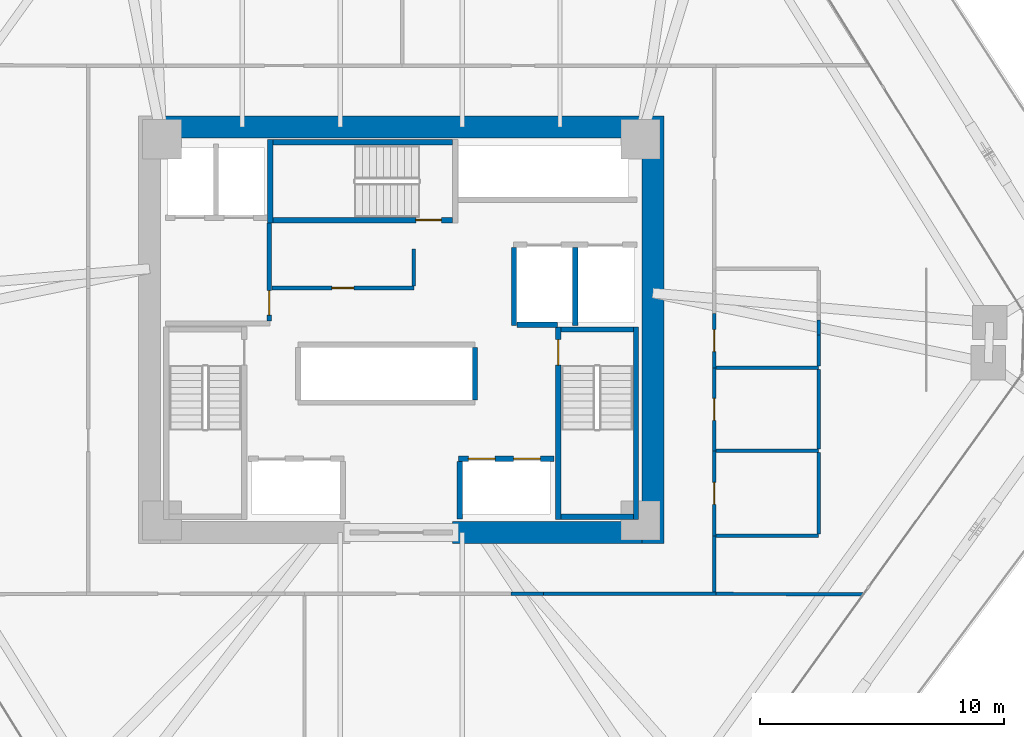
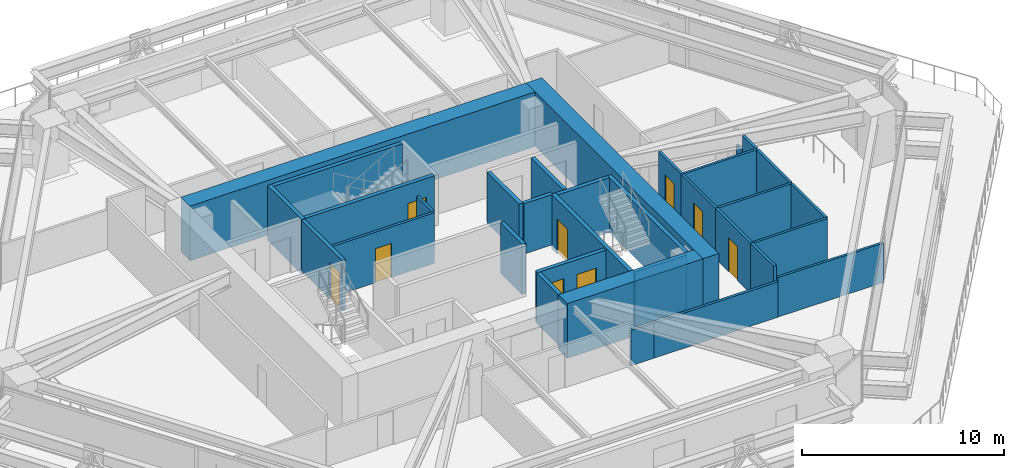
# One storey, part 14 of 20: 33 walls, 9 doors, 9 openings.
"""IFC4 building model written with IfcOpenShell, lengths in metres."""

import ifcopenshell
import ifcopenshell.guid

model = None  # the IFC model being written
_history = None  # IfcOwnerHistory: only IFC2X3 demands one
_inside = {}  # id of a spatial element -> (the spatial element, [elements in it])
_under = {}  # id of a project, library or spatial element -> (it, [spatial elements below it])
_declared = {}  # id of a project -> (the project, [libraries it declares])
_typed = {}  # id of a type object -> (the type object, [elements of that type])
_made_of = {}  # id of a material, layer set ... -> (it, [elements and type objects made of it])


def new_model(schema):
    """Start an empty IFC model of exactly this schema.

    Asked for "IFC4X3", IfcOpenShell would pick the latest addendum, in which some entities
    have other attributes; the version numbers below select the first issue.
    IFC2X3 requires an IfcOwnerHistory on every rooted entity: one is made here for all.
    """
    global model, _history
    if schema == "IFC4X3":
        model = ifcopenshell.file(schema_version=(4, 3, 0, 0))
    else:
        model = ifcopenshell.file(schema=schema)
    _inside.clear()
    _under.clear()
    _declared.clear()
    _typed.clear()
    _made_of.clear()
    _history = None
    if model.schema == "IFC2X3":
        org = make("IfcOrganization", Name="unknown")
        user = make(
            "IfcPersonAndOrganization",
            ThePerson=make("IfcPerson", FamilyName="unknown"),
            TheOrganization=org,
        )
        app = make(
            "IfcApplication",
            ApplicationDeveloper=org,
            Version="unknown",
            ApplicationFullName="unknown",
            ApplicationIdentifier="unknown",
        )
        _history = make(
            "IfcOwnerHistory",
            OwningUser=user,
            OwningApplication=app,
            ChangeAction="ADDED",
            CreationDate=0,
        )
    return model


def make(cls, **values):
    """One entity of the class cls with the attributes given. An attribute that is None is left unset."""
    return model.create_entity(
        cls, **{name: value for name, value in values.items() if value is not None}
    )


def rooted(cls, **values):
    """An entity with a GlobalId (a new one), such as an element, a storey or a relation."""
    return make(cls, GlobalId=ifcopenshell.guid.new(), OwnerHistory=_history, **values)


def si_unit(unit_type, name, prefix=None):
    """IfcSIUnit, for example si_unit("LENGTHUNIT", "METRE", prefix="MILLI")."""
    return make("IfcSIUnit", UnitType=unit_type, Prefix=prefix, Name=name)


def assignment(units):
    """IfcUnitAssignment: the units of a project."""
    return None if units is None else make("IfcUnitAssignment", Units=units)


def point(xyz):
    """IfcCartesianPoint."""
    return None if xyz is None else make("IfcCartesianPoint", Coordinates=xyz)


def direction(xyz):
    """IfcDirection."""
    return None if xyz is None else make("IfcDirection", DirectionRatios=xyz)


def frame(location, z_axis=None, x_axis=None):
    """IfcAxis2Placement3D, a coordinate frame: its origin and axes. An axis left out is left unset."""
    return make(
        "IfcAxis2Placement3D",
        Location=point(location),
        Axis=direction(z_axis),
        RefDirection=direction(x_axis),
    )


def frame_2d(location, x_axis=None):
    """IfcAxis2Placement2D, a coordinate frame in the plane: its origin and x axis."""
    return make(
        "IfcAxis2Placement2D", Location=point(location), RefDirection=direction(x_axis)
    )


def origin():
    """The frame at (0, 0, 0) with its axes left unset."""
    return frame((0.0, 0.0, 0.0))


def place(relative_to, where):
    """IfcLocalPlacement: puts the frame where relative to a parent placement (None: the world)."""
    return make(
        "IfcLocalPlacement", PlacementRelTo=relative_to, RelativePlacement=where
    )


def context(
    kind, dimensions, precision=None, world=None, true_north=None, identifier=None
):
    """IfcGeometricRepresentationContext, for example the 3D "Model" context."""
    return make(
        "IfcGeometricRepresentationContext",
        ContextIdentifier=identifier,
        ContextType=kind,
        CoordinateSpaceDimension=dimensions,
        Precision=precision,
        WorldCoordinateSystem=world,
        TrueNorth=true_north,
    )


def subcontext(parent, identifier, kind, view, scale=None):
    """IfcGeometricRepresentationSubContext, for example "Body" below "Model"."""
    return make(
        "IfcGeometricRepresentationSubContext",
        ContextIdentifier=identifier,
        ContextType=kind,
        ParentContext=parent,
        TargetScale=scale,
        TargetView=view,
    )


def project(units=None, contexts=None):
    """IfcProject with its units and contexts."""
    return rooted(
        "IfcProject",
        Name="project",
        RepresentationContexts=contexts,
        UnitsInContext=assignment(units),
    )


def spatial(cls, under=None, at=None, **own):
    """A site, building, storey or space (cls), placed at a placement, below another one or the project."""
    s = rooted(cls, ObjectPlacement=at, **own)
    if under is not None:
        _under.setdefault(under.id(), (under, []))[1].append(s)
    return s


def profile(cls, at=None, kind="AREA", **sizes):
    """A parametric profile (cls). Its sizes go by their IFC names, for example OverallWidth=200.0."""
    return make(cls, ProfileType=kind, Position=at, **sizes)


def rectangle(**sizes):
    """IfcRectangleProfileDef."""
    return profile("IfcRectangleProfileDef", **sizes)


def extrude(swept, where, along, depth):
    """IfcExtrudedAreaSolid: the profile swept, set in the frame where, extruded along a direction by depth."""
    return make(
        "IfcExtrudedAreaSolid",
        SweptArea=swept,
        Position=where,
        ExtrudedDirection=direction(along),
        Depth=depth,
    )


def shape(context_of_items, identifier, shape_type, items):
    """IfcShapeRepresentation: the items that make up one representation, for example the "Body"."""
    return make(
        "IfcShapeRepresentation",
        ContextOfItems=context_of_items,
        RepresentationIdentifier=identifier,
        RepresentationType=shape_type,
        Items=items,
    )


def source(mapping_origin, context_of_items, identifier, shape_type, items):
    """IfcRepresentationMap: a shape defined once, which mapped items show again and again."""
    return make(
        "IfcRepresentationMap",
        MappingOrigin=mapping_origin,
        MappedRepresentation=shape(context_of_items, identifier, shape_type, items),
    )


def transform(
    local_origin,
    x_axis=None,
    y_axis=None,
    z_axis=None,
    scale=None,
    scale2=None,
    scale3=None,
    uniform=True,
):
    """IfcCartesianTransformationOperator3D, or its non-uniform kind. x_axis, y_axis, z_axis: its Axis1, 2, 3."""
    if uniform:
        return make(
            "IfcCartesianTransformationOperator3D",
            Axis1=direction(x_axis),
            Axis2=direction(y_axis),
            LocalOrigin=point(local_origin),
            Scale=scale,
            Axis3=direction(z_axis),
        )
    return make(
        "IfcCartesianTransformationOperator3DnonUniform",
        Axis1=direction(x_axis),
        Axis2=direction(y_axis),
        LocalOrigin=point(local_origin),
        Scale=scale,
        Axis3=direction(z_axis),
        Scale2=scale2,
        Scale3=scale3,
    )


def mapped(mapping_source, mapping_target):
    """IfcMappedItem: shows the shape of a source again, moved by a transform."""
    return make(
        "IfcMappedItem", MappingSource=mapping_source, MappingTarget=mapping_target
    )


def material(Name=None, Category=None):
    """IfcMaterial."""
    return make("IfcMaterial", Name=Name, Category=Category)


def layer(
    of_material, thickness, ventilated=None, Name=None, Category=None, Priority=None
):
    """IfcMaterialLayer: one layer of a wall or slab, of a material (None: an air gap)."""
    return make(
        "IfcMaterialLayer",
        Material=of_material,
        LayerThickness=thickness,
        IsVentilated=ventilated,
        Name=Name,
        Category=Category,
        Priority=Priority,
    )


def layer_set(layers, Name=None):
    """IfcMaterialLayerSet."""
    return make("IfcMaterialLayerSet", MaterialLayers=layers, LayerSetName=Name)


def made_of(thing, what):
    """Note that an element or type object is made of a material, layer set ...; save() writes the relation."""
    if what is not None:
        _made_of.setdefault(what.id(), (what, []))[1].append(thing)
    return thing


def type_object(cls, material=None, **own):
    """A type object (cls), such as IfcWallType, which elements share."""
    return made_of(rooted(cls, **own), material)


def type_shapes(of_type, sources):
    """Give a type object the sources (RepresentationMaps) that its elements show as mapped items."""
    of_type.RepresentationMaps = sources


def element(
    cls,
    number,
    at=None,
    inside=None,
    cuts=None,
    type_object=None,
    material=None,
    context=None,
    identifier="Body",
    shape_type=None,
    held_by="IfcProductDefinitionShape",
    body=None,
    shapes=None,
    **own,
):
    """One element of the class cls, such as IfcWall. Its Tag is "e" and its number.

    at: its placement. inside: the storey or other place that contains it. cuts: it is an
    opening in that element (IfcRelVoidsElement). A single representation is given by context,
    identifier, shape_type and body (its items); several are given by shapes. held_by: the class
    of the entity that holds the representations. save() writes the other relations.
    """
    e = rooted(cls, Tag="e%d" % number, ObjectPlacement=at, **own)
    if body is not None:
        shapes = [shape(context, identifier, shape_type, body)]
    if shapes is not None:
        e.Representation = make(held_by, Representations=shapes)
    if inside is not None:
        _inside.setdefault(inside.id(), (inside, []))[1].append(e)
    if cuts is not None:
        rooted(
            "IfcRelVoidsElement", RelatingBuildingElement=cuts, RelatedOpeningElement=e
        )
    if type_object is not None:
        _typed.setdefault(type_object.id(), (type_object, []))[1].append(e)
    return made_of(e, material)


def fill(opening, filler):
    """IfcRelFillsElement: the door or window that sits in an opening."""
    return rooted(
        "IfcRelFillsElement",
        RelatingOpeningElement=opening,
        RelatedBuildingElement=filler,
    )


def aggregate(whole, parts):
    """IfcRelAggregates: a whole, such as a stair, and the parts it consists of."""
    return rooted("IfcRelAggregates", RelatingObject=whole, RelatedObjects=parts)


def save(model, path):
    """Write the relations noted so far, then the file.

    IfcRelAggregates (storeys below a building ...), IfcRelContainedInSpatialStructure (elements
    in a storey), IfcRelDefinesByType, IfcRelAssociatesMaterial and IfcRelDeclares: one each for
    every whole, place, type object, material and project.
    """
    for whole, parts in _under.values():
        aggregate(whole, parts)
    for where, things in _inside.values():
        rooted(
            "IfcRelContainedInSpatialStructure",
            RelatedElements=things,
            RelatingStructure=where,
        )
    for kind, things in _typed.values():
        rooted("IfcRelDefinesByType", RelatedObjects=things, RelatingType=kind)
    for what, things in _made_of.values():
        rooted("IfcRelAssociatesMaterial", RelatedObjects=things, RelatingMaterial=what)
    for by, libraries in _declared.values():
        rooted("IfcRelDeclares", RelatingContext=by, RelatedDefinitions=libraries)
    model.write(path)


model = new_model("IFC4")

# Units and contexts
model_context = context("Model", 3, precision=1e-05, world=origin(), true_north=direction((0.0, 1.0)))
body_context = subcontext(model_context, "Body", "Model", "MODEL_VIEW")
ifc_project = project(units=[si_unit("LENGTHUNIT", "METRE"), si_unit("AREAUNIT", "SQUARE_METRE"), si_unit("VOLUMEUNIT", "CUBIC_METRE"), si_unit("PLANEANGLEUNIT", "RADIAN"), si_unit("MASSUNIT", "GRAM", prefix="KILO")], contexts=[model_context])

# Site, building, storey
site_placement = place(None, origin())
site = spatial("IfcSite", under=ifc_project, at=site_placement, CompositionType="ELEMENT")
building_placement = place(site_placement, origin())
building = spatial("IfcBuilding", under=site, at=building_placement, Name="Durnholm Broadcast Tower", CompositionType="ELEMENT")
storey_placement = place(building_placement, frame((0.0, 0.0, 32.39990234375)))
storey = spatial("IfcBuildingStorey", under=building, at=storey_placement, Name="L06", CompositionType="ELEMENT", Elevation=32.39990234375)

# Walls
ifc_material_1 = material(Name="Concrete C70/85", Category="concrete")
ifc_layer_1 = layer(ifc_material_1, 0.89990234375)
ifc_layer_set_1 = layer_set([ifc_layer_1], Name="Concrete C70/85")
wall_type_1 = type_object("IfcWallType", Name="WALL-CW-900", PredefinedType="SHEAR", material=ifc_layer_set_1)
wall_1_placement = place(storey_placement, frame((10.300048828125, -8.75, 0.0), z_axis=(0.0, 0.0, 1.0), x_axis=(0.0, 1.0, 0.0)))
element("IfcWall", 1, at=wall_1_placement, inside=storey, type_object=wall_type_1, Name="L06 central core shear wall CW-EAST", PredefinedType="SHEAR", context=body_context, shape_type="SweptSolid", body=[
    extrude(rectangle(XDim=17.5, YDim=0.89990234375, at=frame_2d((8.75, 0.0))), origin(), (0.0, 0.0, 1.0), 3.300048828125),
])
wall_2_placement = place(storey_placement, frame((2.10009765625, -8.300048828125, 0.0), z_axis=(0.0, 0.0, 1.0), x_axis=(1.0, 0.0, 0.0)))
element("IfcWall", 2, at=wall_2_placement, inside=storey, type_object=wall_type_1, Name="L06 central core shear wall CW-S2", PredefinedType="SHEAR", context=body_context, shape_type="SweptSolid", body=[
    extrude(rectangle(XDim=7.75, YDim=0.89990234375, at=frame_2d((3.875, 0.0))), origin(), (0.0, 0.0, 1.0), 3.300048828125),
])
wall_3_placement = place(storey_placement, frame((-9.85009765625, 8.300048828125, 0.0), z_axis=(0.0, 0.0, 1.0), x_axis=(1.0, 0.0, 0.0)))
element("IfcWall", 3, at=wall_3_placement, inside=storey, type_object=wall_type_1, Name="L06 central core shear wall CW-N", PredefinedType="SHEAR", context=body_context, shape_type="SweptSolid", body=[
    extrude(rectangle(XDim=19.7001953125, YDim=0.89990234375, at=frame_2d((9.85009765625, 0.0))), origin(), (0.0, 0.0, 1.0), 3.300048828125),
])

# Wall, opening, door
ifc_material_2 = material(Name="Fire-Rated Gypsum Shaftwall", Category="concrete")
ifc_layer_2 = layer(ifc_material_2, 0.199951171875)
ifc_layer_set_2 = layer_set([ifc_layer_2], Name="Fire-Rated Gypsum Shaftwall")
wall_type_2 = type_object("IfcWallType", Name="WALL-LOB-200", PredefinedType="SOLIDWALL", material=ifc_layer_set_2)
wall_4_placement = place(storey_placement, frame((-5.39990234375, 0.35400390625, 0.0), z_axis=(0.0, 0.0, 1.0), x_axis=(0.0, 1.0, 0.0)))
wall_4 = element("IfcWall", 4, at=wall_4_placement, inside=storey, type_object=wall_type_2, Name="L06 Fire Service Access Elevator lobby east fire wall", PredefinedType="SOLIDWALL", context=body_context, shape_type="SweptSolid", body=[
    extrude(rectangle(XDim=4.02587890625, YDim=0.199951171875, at=frame_2d((2.012939453125, 0.0))), origin(), (0.0, 0.0, 1.0), 3.045166015625),
])
opening_1_placement = place(wall_4_placement, frame((0.24609375, 0.0, 0.0)))
opening_1 = element("IfcOpeningElement", 5, at=opening_1_placement, cuts=wall_4, Name="Opening DL-60L", PredefinedType="OPENING", context=body_context, shape_type="SweptSolid", body=[
    extrude(rectangle(XDim=1.0, YDim=2.14990234375, at=frame_2d((0.5, 1.074951171875))), frame((0.0, 0.10986328125, 0.0), z_axis=(0.0, -1.0, 0.0), x_axis=(1.0, 0.0, 0.0)), (0.0, 0.0, 1.0), 0.219970703125),
])
ifc_material_3 = material(Name="Fire-Rated Timber/Steel Door", Category="steel")
ifc_layer_3 = layer(ifc_material_3, 0.050048828125)
ifc_layer_set_3 = layer_set([ifc_layer_3], Name="Fire-Rated Timber/Steel Door")
door_type_1 = type_object("IfcDoorType", Name="DOOR-LOB-FD60-L", OperationType="NOTDEFINED", PredefinedType="DOOR", material=ifc_layer_set_3)
shared_shape_1 = source(origin(), body_context, "Body", "SweptSolid", [
    extrude(rectangle(XDim=1.0, YDim=2.14990234375, at=frame_2d((0.5, 1.074951171875))), frame((0.0, 0.02490234375, 0.0), z_axis=(0.0, -1.0, 0.0), x_axis=(1.0, 0.0, 0.0)), (0.0, 0.0, 1.0), 0.050048828125),
])
type_shapes(door_type_1, [shared_shape_1])
door_1_placement = place(opening_1_placement, origin())
door_1 = element("IfcDoor", 6, at=door_1_placement, inside=storey, type_object=door_type_1, Name="L06 Fire Service Access Elevator lobby smoke door", OperationType="SINGLE_SWING_LEFT", OverallHeight=2.14990234375, OverallWidth=1.0, PredefinedType="DOOR", context=body_context, shape_type="MappedRepresentation", body=[
    mapped(shared_shape_1, transform((0.0, 0.0, 0.0), x_axis=(1.0, 0.0, 0.0), y_axis=(0.0, 1.0, 0.0), z_axis=(0.0, 0.0, 1.0), scale=1.0)),
])
fill(opening_1, door_1)

# Wall
ifc_material_4 = material(Name="Gypsum Metal Stud Partition", Category="concrete")
ifc_layer_4 = layer(ifc_material_4, 0.135009765625)
ifc_layer_set_4 = layer_set([ifc_layer_4], Name="Gypsum Metal Stud Partition")
wall_type_3 = type_object("IfcWallType", Name="WALL-PART-135", PredefinedType="PARTITIONING", material=ifc_layer_set_4)
wall_5_placement = place(storey_placement, frame((12.889892578125, -10.810302734375, 0.0), z_axis=(0.0, 0.0, 1.0), x_axis=(0.999992607823, -0.003845035728, 0.0)))
element("IfcWall", 7, at=wall_5_placement, inside=storey, type_object=wall_type_3, Name="L06 room dividing partition 8.10", PredefinedType="PARTITIONING", context=body_context, shape_type="SweptSolid", body=[
    extrude(rectangle(XDim=6.031982421875, YDim=0.135009765625, at=frame_2d((3.01611328125, 0.0))), origin(), (0.0, 0.0, 1.0), 2.380126953125),
])

# Wall, opening, door
ifc_material_5 = material(Name="Acoustic Gypsum Stud Partition", Category="concrete")
ifc_layer_5 = layer(ifc_material_5, 0.14990234375)
ifc_layer_set_5 = layer_set([ifc_layer_5], Name="Acoustic Gypsum Stud Partition")
wall_type_4 = type_object("IfcWallType", Name="WALL-PART-150", PredefinedType="PARTITIONING", material=ifc_layer_set_5)
wall_6_placement = place(storey_placement, frame((0.52001953125, 1.7099609375, 0.0), z_axis=(0.0, 0.0, 1.0), x_axis=(-1.0, 0.0, 0.0)))
wall_6 = element("IfcWall", 8, at=wall_6_placement, inside=storey, type_object=wall_type_4, Name="L06 Core Housekeeping Room corridor partition", PredefinedType="PARTITIONING", context=body_context, shape_type="SweptSolid", body=[
    extrude(rectangle(XDim=5.81591796875, YDim=0.14990234375, at=frame_2d((2.907958984375, 0.0))), origin(), (0.0, 0.0, 1.0), 3.045166015625),
])
opening_2_placement = place(wall_6_placement, frame((2.4580078125, 0.0, 0.0)))
opening_2 = element("IfcOpeningElement", 9, at=opening_2_placement, cuts=wall_6, Name="Opening DC-60R", PredefinedType="OPENING", context=body_context, shape_type="SweptSolid", body=[
    extrude(rectangle(XDim=0.89990234375, YDim=2.050048828125, at=frame_2d((0.449951171875, 1.02490234375))), frame((0.0, 0.0849609375, 0.0), z_axis=(0.0, -1.0, 0.0), x_axis=(1.0, 0.0, 0.0)), (0.0, 0.0, 1.0), 0.169921875),
])
ifc_material_6 = material(Name="Fire-Rated Core Service Door", Category="steel")
ifc_layer_6 = layer(ifc_material_6, 0.050048828125)
ifc_layer_set_6 = layer_set([ifc_layer_6], Name="Fire-Rated Core Service Door")
door_type_2 = type_object("IfcDoorType", Name="DOOR-CORE-FD60-R", OperationType="NOTDEFINED", PredefinedType="DOOR", material=ifc_layer_set_6)
shared_shape_2 = source(origin(), body_context, "Body", "SweptSolid", [
    extrude(rectangle(XDim=0.89990234375, YDim=2.050048828125, at=frame_2d((0.449951171875, 1.02490234375))), frame((0.0, 0.02490234375, 0.0), z_axis=(0.0, -1.0, 0.0), x_axis=(1.0, 0.0, 0.0)), (0.0, 0.0, 1.0), 0.050048828125),
])
type_shapes(door_type_2, [shared_shape_2])
door_2_placement = place(opening_2_placement, origin())
door_2 = element("IfcDoor", 10, at=door_2_placement, inside=storey, type_object=door_type_2, Name="L06 Core Housekeeping Room entrance door", OperationType="SINGLE_SWING_RIGHT", OverallHeight=2.050048828125, OverallWidth=0.89990234375, PredefinedType="DOOR", context=body_context, shape_type="MappedRepresentation", body=[
    mapped(shared_shape_2, transform((0.0, 0.0, 0.0), x_axis=(1.0, 0.0, 0.0), y_axis=(0.0, 1.0, 0.0), z_axis=(0.0, 0.0, 1.0), scale=1.0)),
])
fill(opening_2, door_2)

# Walls
wall_7_placement = place(storey_placement, frame((0.52001953125, 3.300048828125, 0.0), z_axis=(0.0, 0.0, 1.0), x_axis=(0.0, -1.0, 0.0)))
element("IfcWall", 11, at=wall_7_placement, inside=storey, type_object=wall_type_4, Name="L06 Core Housekeeping Room corridor partition", PredefinedType="PARTITIONING", context=body_context, shape_type="SweptSolid", body=[
    extrude(rectangle(XDim=1.510986328125, YDim=0.14990234375, at=frame_2d((0.75537109375, 0.0))), origin(), (0.0, 0.0, 1.0), 3.045166015625),
])
wall_8_placement = place(storey_placement, frame((5.8173828125, -10.81005859375, 0.0), z_axis=(0.0, 0.0, 1.0), x_axis=(1.0, 0.0, 0.0)))
element("IfcWall", 12, at=wall_8_placement, inside=storey, type_object=wall_type_4, Name="L06 Executive Producer Office corridor partition", PredefinedType="PARTITIONING", context=body_context, shape_type="SweptSolid", body=[
    extrude(rectangle(XDim=7.072509765625, YDim=0.14990234375, at=frame_2d((3.5361328125, 0.0))), origin(), (0.0, 0.0, 1.0), 2.130126953125),
])
wall_9_placement = place(storey_placement, frame((4.499267578125, -10.81005859375, 0.0), z_axis=(0.0, 0.0, 1.0), x_axis=(1.0, 0.0, 0.0)))
element("IfcWall", 13, at=wall_9_placement, inside=storey, type_object=wall_type_4, Name="L06 Executive Producer Office corridor partition", PredefinedType="PARTITIONING", context=body_context, shape_type="SweptSolid", body=[
    extrude(rectangle(XDim=1.318115234375, YDim=0.14990234375, at=frame_2d((0.6591796875, 0.0))), origin(), (0.0, 0.0, 1.0), 2.130126953125),
])
wall_10_placement = place(storey_placement, frame((12.81005859375, -10.73095703125, 0.0), z_axis=(0.0, 0.0, 1.0), x_axis=(0.0, 1.0, 0.0)))
element("IfcWall", 14, at=wall_10_placement, inside=storey, type_object=wall_type_4, Name="L06 Media Archive Store corridor partition", PredefinedType="PARTITIONING", context=body_context, shape_type="SweptSolid", body=[
    extrude(rectangle(XDim=2.291015625, YDim=0.14990234375, at=frame_2d((1.1455078125, 0.0))), origin(), (0.0, 0.0, 1.0), 3.045166015625),
])
ifc_material_7 = material(Name="Concrete Blockwork C30/37", Category="masonry")
ifc_layer_7 = layer(ifc_material_7, 0.219970703125)
ifc_layer_set_7 = layer_set([ifc_layer_7], Name="Concrete Blockwork C30/37")
wall_type_5 = type_object("IfcWallType", Name="WALL-SHAFT-220", PredefinedType="SOLIDWALL", material=ifc_layer_set_7)
for number, where, z_axis, x_axis, name in (
    (15, (4.6201171875, 0.179931640625, 0.0), (0.0, 0.0, 1.0), (0.0, 1.0, 0.0), "L06 freight service lift SVL-2 west wall"),
    (16, (7.1201171875, 0.179931640625, 0.0), (0.0, 0.0, 1.0), (0.0, 1.0, 0.0), "L06 freight service lifts divider wall"),
):
    element("IfcWall", number, at=place(storey_placement, frame(where, z_axis=z_axis, x_axis=x_axis)), inside=storey, type_object=wall_type_5, Name=name, PredefinedType="SOLIDWALL", context=body_context, shape_type="SweptSolid", body=[
        extrude(rectangle(XDim=3.18603515625, YDim=0.219970703125, at=frame_2d((1.593017578125, 0.0))), origin(), (0.0, 0.0, 1.0), 3.045166015625),
    ])
wall_11_placement = place(storey_placement, frame((4.73388671875, 0.199951171875, 0.0), z_axis=(0.0, 0.0, 1.0), x_axis=(1.0, 0.0, 0.0)))
element("IfcWall", 17, at=wall_11_placement, inside=storey, type_object=wall_type_5, Name="L06 freight service lift SVL-2 south wall", PredefinedType="SOLIDWALL", context=body_context, shape_type="SweptSolid", body=[
    extrude(rectangle(XDim=1.666015625, YDim=0.219970703125, at=frame_2d((0.8330078125, 0.0))), origin(), (0.0, 0.0, 1.0), 3.045166015625),
])

# Wall, openings, doors
wall_12_placement = place(storey_placement, frame((2.35009765625, -5.280029296875, 0.0), z_axis=(0.0, 0.0, 1.0), x_axis=(1.0, 0.0, 0.0)))
wall_12 = element("IfcWall", 18, at=wall_12_placement, inside=storey, type_object=wall_type_5, Name="L06 low-rise bank P1 east front wall", PredefinedType="SOLIDWALL", context=body_context, shape_type="SweptSolid", body=[
    extrude(rectangle(XDim=3.89990234375, YDim=0.219970703125, at=frame_2d((1.949951171875, 0.0))), origin(), (0.0, 0.0, 1.0), 3.045166015625),
])
opening_3_placement = place(wall_12_placement, frame((0.39990234375, 0.0, 0.0)))
opening_3 = element("IfcOpeningElement", 19, at=opening_3_placement, cuts=wall_12, Name="Opening LD-LP1-3", PredefinedType="OPENING", context=body_context, shape_type="SweptSolid", body=[
    extrude(rectangle(XDim=1.10009765625, YDim=2.14990234375, at=frame_2d((0.550048828125, 1.074951171875))), frame((0.0, 0.1201171875, 0.0), z_axis=(0.0, -1.0, 0.0), x_axis=(1.0, 0.0, 0.0)), (0.0, 0.0, 1.0), 0.239990234375),
])
opening_4_placement = place(wall_12_placement, frame((2.25, 0.0, 0.0)))
opening_4 = element("IfcOpeningElement", 20, at=opening_4_placement, cuts=wall_12, Name="Opening LD-LP1-4", PredefinedType="OPENING", context=body_context, shape_type="SweptSolid", body=[
    extrude(rectangle(XDim=1.10009765625, YDim=2.14990234375, at=frame_2d((0.550048828125, 1.074951171875))), frame((0.0, 0.1201171875, 0.0), z_axis=(0.0, -1.0, 0.0), x_axis=(1.0, 0.0, 0.0)), (0.0, 0.0, 1.0), 0.239990234375),
])
ifc_material_8 = material(Name="Stainless Steel Sliding Elevator Landing Door", Category="steel")
ifc_layer_8 = layer(ifc_material_8, 0.050048828125)
ifc_layer_set_8 = layer_set([ifc_layer_8], Name="Stainless Steel Sliding Elevator Landing Door")
door_type_3 = type_object("IfcDoorType", Name="DOOR-LIFT-PAX", OperationType="DOUBLE_DOOR_SLIDING", PredefinedType="DOOR", material=ifc_layer_set_8)
shared_shape_3 = source(origin(), body_context, "Body", "SweptSolid", [
    extrude(rectangle(XDim=1.10009765625, YDim=2.14990234375, at=frame_2d((0.550048828125, 1.074951171875))), frame((0.0, 0.02490234375, 0.0), z_axis=(0.0, -1.0, 0.0), x_axis=(1.0, 0.0, 0.0)), (0.0, 0.0, 1.0), 0.050048828125),
])
type_shapes(door_type_3, [shared_shape_3])
door_3_placement = place(opening_3_placement, origin())
door_3 = element("IfcDoor", 21, at=door_3_placement, inside=storey, type_object=door_type_3, Name="L06 passenger elevator LP1-3 sliding landing door", OperationType="DOUBLE_DOOR_SLIDING", OverallHeight=2.14990234375, OverallWidth=1.10009765625, PredefinedType="DOOR", context=body_context, shape_type="MappedRepresentation", body=[
    mapped(shared_shape_3, transform((0.0, 0.0, 0.0), x_axis=(1.0, 0.0, 0.0), y_axis=(0.0, 1.0, 0.0), z_axis=(0.0, 0.0, 1.0), scale=1.0)),
])
fill(opening_3, door_3)
door_4_placement = place(opening_4_placement, origin())
door_4 = element("IfcDoor", 22, at=door_4_placement, inside=storey, type_object=door_type_3, Name="L06 passenger elevator LP1-4 sliding landing door", OperationType="DOUBLE_DOOR_SLIDING", OverallHeight=2.14990234375, OverallWidth=1.10009765625, PredefinedType="DOOR", context=body_context, shape_type="MappedRepresentation", body=[
    mapped(shared_shape_3, transform((0.0, 0.0, 0.0), x_axis=(1.0, 0.0, 0.0), y_axis=(0.0, 1.0, 0.0), z_axis=(0.0, 0.0, 1.0), scale=1.0)),
])
fill(opening_4, door_4)

# Walls
wall_13_placement = place(storey_placement, frame((2.39990234375, -7.75, 0.0), z_axis=(0.0, 0.0, 1.0), x_axis=(0.0, 1.0, 0.0)))
element("IfcWall", 23, at=wall_13_placement, inside=storey, type_object=wall_type_5, Name="L06 low-rise bank P1 east mouth wall", PredefinedType="SOLIDWALL", context=body_context, shape_type="SweptSolid", body=[
    extrude(rectangle(XDim=2.35595703125, YDim=0.219970703125, at=frame_2d((1.177978515625, 0.0))), origin(), (0.0, 0.0, 1.0), 3.045166015625),
])
wall_14_placement = place(storey_placement, frame((3.02001953125, -2.865966796875, 0.0), z_axis=(0.0, 0.0, 1.0), x_axis=(0.0, 1.0, 0.0)))
element("IfcWall", 24, at=wall_14_placement, inside=storey, type_object=wall_type_5, Name="L06 mid-rise bank P2 east shaft wall", PredefinedType="SOLIDWALL", context=body_context, shape_type="SweptSolid", body=[
    extrude(rectangle(XDim=2.132080078125, YDim=0.219970703125, at=frame_2d((1.06591796875, 0.0))), origin(), (0.0, 0.0, 1.0), 3.045166015625),
])
ifc_material_9 = material(Name="Concrete C50/60", Category="concrete")
ifc_layer_9 = layer(ifc_material_9, 0.219970703125)
ifc_layer_set_9 = layer_set([ifc_layer_9], Name="Concrete C50/60")
wall_type_6 = type_object("IfcWallType", Name="WALL-SW-220", PredefinedType="SHEAR", material=ifc_layer_set_9)
wall_15_placement = place(storey_placement, frame((9.610107421875, -7.77001953125, -0.239990234375), z_axis=(0.0, 0.0, 1.0), x_axis=(0.0, 1.0, 0.0)))
element("IfcWall", 25, at=wall_15_placement, inside=storey, type_object=wall_type_6, Name="L06 stair ST-2 structural shaft wall E", PredefinedType="SHEAR", context=body_context, shape_type="SweptSolid", body=[
    extrude(rectangle(XDim=7.89013671875, YDim=0.219970703125, at=frame_2d((3.945068359375, 0.0))), origin(), (0.0, 0.0, 1.0), 3.300048828125),
])

# Wall, opening, door
wall_16_placement = place(storey_placement, frame((6.429931640625, 0.1201171875, -0.239990234375), z_axis=(0.0, 0.0, 1.0), x_axis=(0.0, -1.0, 0.0)))
wall_16 = element("IfcWall", 26, at=wall_16_placement, inside=storey, type_object=wall_type_6, Name="L06 stair ST-2 structural shaft wall W", PredefinedType="SHEAR", context=body_context, shape_type="SweptSolid", body=[
    extrude(rectangle(XDim=7.89013671875, YDim=0.219970703125, at=frame_2d((3.945068359375, 0.0))), origin(), (0.0, 0.0, 1.0), 3.300048828125),
])
opening_5_placement = place(wall_16_placement, frame((0.52001953125, 0.0, 0.0)))
opening_5 = element("IfcOpeningElement", 27, at=opening_5_placement, cuts=wall_16, Name="Opening DS-90R", PredefinedType="OPENING", context=body_context, shape_type="SweptSolid", body=[
    extrude(rectangle(XDim=1.050048828125, YDim=2.14990234375, at=frame_2d((0.52490234375, 1.074951171875))), frame((0.0, 0.1201171875, 0.0), z_axis=(0.0, -1.0, 0.0), x_axis=(1.0, 0.0, 0.0)), (0.0, 0.0, 1.0), 0.239990234375),
])
ifc_material_10 = material(Name="Fire-Rated Steel Door", Category="steel")
ifc_layer_10 = layer(ifc_material_10, 0.050048828125)
ifc_layer_set_10 = layer_set([ifc_layer_10], Name="Fire-Rated Steel Door")
door_type_4 = type_object("IfcDoorType", Name="DOOR-ST-FD90-R", OperationType="NOTDEFINED", PredefinedType="DOOR", material=ifc_layer_set_10)
shared_shape_4 = source(origin(), body_context, "Body", "SweptSolid", [
    extrude(rectangle(XDim=1.050048828125, YDim=2.14990234375, at=frame_2d((0.52490234375, 1.074951171875))), frame((0.0, 0.02490234375, 0.0), z_axis=(0.0, -1.0, 0.0), x_axis=(1.0, 0.0, 0.0)), (0.0, 0.0, 1.0), 0.050048828125),
])
type_shapes(door_type_4, [shared_shape_4])
door_5_placement = place(opening_5_placement, origin())
door_5 = element("IfcDoor", 28, at=door_5_placement, inside=storey, type_object=door_type_4, Name="L06 exit stair ST-2 fire door", OperationType="SINGLE_SWING_RIGHT", OverallHeight=2.14990234375, OverallWidth=1.050048828125, PredefinedType="DOOR", context=body_context, shape_type="MappedRepresentation", body=[
    mapped(shared_shape_4, transform((0.0, 0.0, 0.0), x_axis=(1.0, 0.0, 0.0), y_axis=(0.0, 1.0, 0.0), z_axis=(0.0, 0.0, 1.0), scale=1.0)),
])
fill(opening_5, door_5)

# Walls
for number, where, z_axis, x_axis, name in (
    (29, (6.5400390625, -7.659912109375, -0.239990234375), (0.0, 0.0, 1.0), (1.0, 0.0, 0.0), "L06 stair ST-2 structural shaft wall S"),
    (30, (9.5, 0.010009765625, -0.239990234375), (0.0, 0.0, 1.0), (-1.0, 0.0, 0.0), "L06 stair ST-2 structural shaft wall N"),
):
    element("IfcWall", number, at=place(storey_placement, frame(where, z_axis=z_axis, x_axis=x_axis)), inside=storey, type_object=wall_type_6, Name=name, PredefinedType="SHEAR", context=body_context, shape_type="SweptSolid", body=[
        extrude(rectangle(XDim=2.9599609375, YDim=0.219970703125, at=frame_2d((1.47998046875, 0.0))), origin(), (0.0, 0.0, 1.0), 3.300048828125),
    ])
wall_17_placement = place(storey_placement, frame((-5.360107421875, 7.780029296875, -0.239990234375), z_axis=(0.0, 0.0, 1.0), x_axis=(0.0, -1.0, 0.0)))
element("IfcWall", 31, at=wall_17_placement, inside=storey, type_object=wall_type_6, Name="L06 stair ST-3 structural shaft wall W", PredefinedType="SHEAR", context=body_context, shape_type="SweptSolid", body=[
    extrude(rectangle(XDim=3.400146484375, YDim=0.219970703125, at=frame_2d((1.7001953125, 0.0))), origin(), (0.0, 0.0, 1.0), 3.300048828125),
])

# Wall, opening, door
wall_18_placement = place(storey_placement, frame((-5.25, 4.489990234375, -0.239990234375), z_axis=(0.0, 0.0, 1.0), x_axis=(1.0, 0.0, 0.0)))
wall_18 = element("IfcWall", 32, at=wall_18_placement, inside=storey, type_object=wall_type_6, Name="L06 stair ST-3 structural shaft wall S", PredefinedType="SHEAR", context=body_context, shape_type="SweptSolid", body=[
    extrude(rectangle(XDim=7.35009765625, YDim=0.219970703125, at=frame_2d((3.675048828125, 0.0))), origin(), (0.0, 0.0, 1.0), 3.300048828125),
])
opening_6_placement = place(wall_18_placement, frame((5.85009765625, 0.0, 0.0)))
opening_6 = element("IfcOpeningElement", 33, at=opening_6_placement, cuts=wall_18, Name="Opening DS-90L", PredefinedType="OPENING", context=body_context, shape_type="SweptSolid", body=[
    extrude(rectangle(XDim=1.050048828125, YDim=2.14990234375, at=frame_2d((0.52490234375, 1.074951171875))), frame((0.0, 0.1201171875, 0.0), z_axis=(0.0, -1.0, 0.0), x_axis=(1.0, 0.0, 0.0)), (0.0, 0.0, 1.0), 0.239990234375),
])
ifc_layer_11 = layer(ifc_material_10, 0.050048828125)
ifc_layer_set_11 = layer_set([ifc_layer_11], Name="Fire-Rated Steel Door")
door_type_5 = type_object("IfcDoorType", Name="DOOR-ST-FD90-L", OperationType="NOTDEFINED", PredefinedType="DOOR", material=ifc_layer_set_11)
shared_shape_5 = source(origin(), body_context, "Body", "SweptSolid", [
    extrude(rectangle(XDim=1.050048828125, YDim=2.14990234375, at=frame_2d((0.52490234375, 1.074951171875))), frame((0.0, 0.02490234375, 0.0), z_axis=(0.0, -1.0, 0.0), x_axis=(1.0, 0.0, 0.0)), (0.0, 0.0, 1.0), 0.050048828125),
])
type_shapes(door_type_5, [shared_shape_5])
door_6_placement = place(opening_6_placement, origin())
door_6 = element("IfcDoor", 34, at=door_6_placement, inside=storey, type_object=door_type_5, Name="L06 exit stair ST-3 fire door", OperationType="SINGLE_SWING_LEFT", OverallHeight=2.14990234375, OverallWidth=1.050048828125, PredefinedType="DOOR", context=body_context, shape_type="MappedRepresentation", body=[
    mapped(shared_shape_5, transform((0.0, 0.0, 0.0), x_axis=(1.0, 0.0, 0.0), y_axis=(0.0, 1.0, 0.0), z_axis=(0.0, 0.0, 1.0), scale=1.0)),
])
fill(opening_6, door_6)

# Wall
wall_19_placement = place(storey_placement, frame((2.10009765625, 7.669921875, -0.239990234375), z_axis=(0.0, 0.0, 1.0), x_axis=(-1.0, 0.0, 0.0)))
element("IfcWall", 35, at=wall_19_placement, inside=storey, type_object=wall_type_6, Name="L06 stair ST-3 structural shaft wall N", PredefinedType="SHEAR", context=body_context, shape_type="SweptSolid", body=[
    extrude(rectangle(XDim=7.35009765625, YDim=0.219970703125, at=frame_2d((3.675048828125, 0.0))), origin(), (0.0, 0.0, 1.0), 3.300048828125),
])

# Wall, opening, door
ifc_material_11 = material(Name="Moisture-Resistant Tile Partition", Category="concrete")
ifc_layer_12 = layer(ifc_material_11, 0.139892578125)
ifc_layer_set_12 = layer_set([ifc_layer_12], Name="Moisture-Resistant Tile Partition")
wall_type_7 = type_object("IfcWallType", Name="WALL-WC-140", PredefinedType="PARTITIONING", material=ifc_layer_set_12)
wall_20_placement = place(storey_placement, frame((12.81005859375, -8.43994140625, 0.0), z_axis=(0.0, 0.0, 1.0), x_axis=(0.0, 1.0, 0.0)))
wall_20 = element("IfcWall", 36, at=wall_20_placement, inside=storey, type_object=wall_type_7, Name="L06 Men's Restroom corridor partition", PredefinedType="PARTITIONING", context=body_context, shape_type="SweptSolid", body=[
    extrude(rectangle(XDim=3.47998046875, YDim=0.139892578125, at=frame_2d((1.739990234375, 0.0))), origin(), (0.0, 0.0, 1.0), 3.045166015625),
])
opening_7_placement = place(wall_20_placement, frame((1.2900390625, 0.0, 0.0)))
opening_7 = element("IfcOpeningElement", 37, at=opening_7_placement, cuts=wall_20, Name="Opening DW-90L", PredefinedType="OPENING", context=body_context, shape_type="SweptSolid", body=[
    extrude(rectangle(XDim=0.89990234375, YDim=2.050048828125, at=frame_2d((0.449951171875, 1.02490234375))), frame((0.0, 0.080078125, 0.0), z_axis=(0.0, -1.0, 0.0), x_axis=(1.0, 0.0, 0.0)), (0.0, 0.0, 1.0), 0.159912109375),
])
ifc_material_12 = material(Name="Laminate Restroom Door", Category="steel")
ifc_layer_13 = layer(ifc_material_12, 0.050048828125)
ifc_layer_set_13 = layer_set([ifc_layer_13], Name="Laminate Restroom Door")
door_type_6 = type_object("IfcDoorType", Name="DOOR-WC-900L", OperationType="NOTDEFINED", PredefinedType="DOOR", material=ifc_layer_set_13)
shared_shape_6 = source(origin(), body_context, "Body", "SweptSolid", [
    extrude(rectangle(XDim=0.89990234375, YDim=2.050048828125, at=frame_2d((0.449951171875, 1.02490234375))), frame((0.0, 0.02490234375, 0.0), z_axis=(0.0, -1.0, 0.0), x_axis=(1.0, 0.0, 0.0)), (0.0, 0.0, 1.0), 0.050048828125),
])
type_shapes(door_type_6, [shared_shape_6])
door_7_placement = place(opening_7_placement, origin())
door_7 = element("IfcDoor", 38, at=door_7_placement, inside=storey, type_object=door_type_6, Name="L06 Men's Restroom entrance door", OperationType="SINGLE_SWING_LEFT", OverallHeight=2.050048828125, OverallWidth=0.89990234375, PredefinedType="DOOR", context=body_context, shape_type="MappedRepresentation", body=[
    mapped(shared_shape_6, transform((0.0, 0.0, 0.0), x_axis=(1.0, 0.0, 0.0), y_axis=(0.0, 1.0, 0.0), z_axis=(0.0, 0.0, 1.0), scale=1.0)),
])
fill(opening_7, door_7)

wall_21_placement = place(storey_placement, frame((12.81005859375, -4.9599609375, 0.0), z_axis=(0.0, 0.0, 1.0), x_axis=(0.0, 1.0, 0.0)))
wall_21 = element("IfcWall", 39, at=wall_21_placement, inside=storey, type_object=wall_type_7, Name="L06 Women's Restroom corridor partition", PredefinedType="PARTITIONING", context=body_context, shape_type="SweptSolid", body=[
    extrude(rectangle(XDim=3.39990234375, YDim=0.139892578125, at=frame_2d((1.699951171875, 0.0))), origin(), (0.0, 0.0, 1.0), 3.045166015625),
])
opening_8_placement = place(wall_21_placement, frame((1.25, 0.0, 0.0)))
opening_8 = element("IfcOpeningElement", 40, at=opening_8_placement, cuts=wall_21, Name="Opening DW-90R", PredefinedType="OPENING", context=body_context, shape_type="SweptSolid", body=[
    extrude(rectangle(XDim=0.89990234375, YDim=2.050048828125, at=frame_2d((0.449951171875, 1.02490234375))), frame((0.0, 0.080078125, 0.0), z_axis=(0.0, -1.0, 0.0), x_axis=(1.0, 0.0, 0.0)), (0.0, 0.0, 1.0), 0.159912109375),
])
ifc_layer_14 = layer(ifc_material_12, 0.050048828125)
ifc_layer_set_14 = layer_set([ifc_layer_14], Name="Laminate Restroom Door")
door_type_7 = type_object("IfcDoorType", Name="DOOR-WC-900R", OperationType="NOTDEFINED", PredefinedType="DOOR", material=ifc_layer_set_14)
shared_shape_7 = source(origin(), body_context, "Body", "SweptSolid", [
    extrude(rectangle(XDim=0.89990234375, YDim=2.050048828125, at=frame_2d((0.449951171875, 1.02490234375))), frame((0.0, 0.02490234375, 0.0), z_axis=(0.0, -1.0, 0.0), x_axis=(1.0, 0.0, 0.0)), (0.0, 0.0, 1.0), 0.050048828125),
])
type_shapes(door_type_7, [shared_shape_7])
door_8_placement = place(opening_8_placement, origin())
door_8 = element("IfcDoor", 41, at=door_8_placement, inside=storey, type_object=door_type_7, Name="L06 Women's Restroom entrance door", OperationType="SINGLE_SWING_RIGHT", OverallHeight=2.050048828125, OverallWidth=0.89990234375, PredefinedType="DOOR", context=body_context, shape_type="MappedRepresentation", body=[
    mapped(shared_shape_7, transform((0.0, 0.0, 0.0), x_axis=(1.0, 0.0, 0.0), y_axis=(0.0, 1.0, 0.0), z_axis=(0.0, 0.0, 1.0), scale=1.0)),
])
fill(opening_8, door_8)

wall_22_placement = place(storey_placement, frame((12.81005859375, -1.56005859375, 0.0), z_axis=(0.0, 0.0, 1.0), x_axis=(0.0, 1.0, 0.0)))
wall_22 = element("IfcWall", 42, at=wall_22_placement, inside=storey, type_object=wall_type_7, Name="L06 Accessible Restroom corridor partition", PredefinedType="PARTITIONING", context=body_context, shape_type="SweptSolid", body=[
    extrude(rectangle(XDim=2.231201171875, YDim=0.139892578125, at=frame_2d((1.11572265625, 0.0))), origin(), (0.0, 0.0, 1.0), 3.045166015625),
])
opening_9_placement = place(wall_22_placement, frame((0.66552734375, 0.0, 0.0)))
opening_9 = element("IfcOpeningElement", 43, at=opening_9_placement, cuts=wall_22, Name="Opening DW-90L", PredefinedType="OPENING", context=body_context, shape_type="SweptSolid", body=[
    extrude(rectangle(XDim=0.89990234375, YDim=2.050048828125, at=frame_2d((0.449951171875, 1.02490234375))), frame((0.0, 0.080078125, 0.0), z_axis=(0.0, -1.0, 0.0), x_axis=(1.0, 0.0, 0.0)), (0.0, 0.0, 1.0), 0.159912109375),
])
door_9_placement = place(opening_9_placement, origin())
door_9 = element("IfcDoor", 44, at=door_9_placement, inside=storey, type_object=door_type_6, Name="L06 Accessible Restroom entrance door", OperationType="SINGLE_SWING_LEFT", OverallHeight=2.050048828125, OverallWidth=0.89990234375, PredefinedType="DOOR", context=body_context, shape_type="MappedRepresentation", body=[
    mapped(shared_shape_6, transform((0.0, 0.0, 0.0), x_axis=(1.0, 0.0, 0.0), y_axis=(0.0, 1.0, 0.0), z_axis=(0.0, 0.0, 1.0), scale=1.0)),
])
fill(opening_9, door_9)

# Walls
wall_23_placement = place(storey_placement, frame((12.884033203125, -4.9599609375, 0.0), z_axis=(0.0, 0.0, 1.0), x_axis=(1.0, 0.0, 0.0)))
element("IfcWall", 45, at=wall_23_placement, inside=storey, type_object=wall_type_7, Name="L06 room dividing partition 2.3", PredefinedType="PARTITIONING", context=body_context, shape_type="SweptSolid", body=[
    extrude(rectangle(XDim=4.2060546875, YDim=0.139892578125, at=frame_2d((2.10302734375, 0.0))), origin(), (0.0, 0.0, 1.0), 3.045166015625),
])
wall_24_placement = place(storey_placement, frame((17.090087890625, -8.43994140625, 0.0), z_axis=(0.0, 0.0, 1.0), x_axis=(-1.0, 0.0, 0.0)))
element("IfcWall", 46, at=wall_24_placement, inside=storey, type_object=wall_type_7, Name="L06 room dividing partition 2.10", PredefinedType="PARTITIONING", context=body_context, shape_type="SweptSolid", body=[
    extrude(rectangle(XDim=4.201171875, YDim=0.139892578125, at=frame_2d((2.1005859375, 0.0))), origin(), (0.0, 0.0, 1.0), 3.045166015625),
])
wall_25_placement = place(storey_placement, frame((17.090087890625, -5.033935546875, 0.0), z_axis=(0.0, 0.0, 1.0), x_axis=(0.0, -1.0, 0.0)))
element("IfcWall", 47, at=wall_25_placement, inside=storey, type_object=wall_type_7, Name="L06 room dividing partition 2.10", PredefinedType="PARTITIONING", context=body_context, shape_type="SweptSolid", body=[
    extrude(rectangle(XDim=3.33203125, YDim=0.139892578125, at=frame_2d((1.666015625, 0.0))), origin(), (0.0, 0.0, 1.0), 3.045166015625),
])
wall_26_placement = place(storey_placement, frame((12.884033203125, -1.56005859375, 0.0), z_axis=(0.0, 0.0, 1.0), x_axis=(1.0, 0.0, 0.0)))
element("IfcWall", 48, at=wall_26_placement, inside=storey, type_object=wall_type_7, Name="L06 room dividing partition 3.4", PredefinedType="PARTITIONING", context=body_context, shape_type="SweptSolid", body=[
    extrude(rectangle(XDim=4.2060546875, YDim=0.139892578125, at=frame_2d((2.10302734375, 0.0))), origin(), (0.0, 0.0, 1.0), 3.045166015625),
])
wall_27_placement = place(storey_placement, frame((17.090087890625, -1.634033203125, 0.0), z_axis=(0.0, 0.0, 1.0), x_axis=(0.0, -1.0, 0.0)))
element("IfcWall", 49, at=wall_27_placement, inside=storey, type_object=wall_type_7, Name="L06 room dividing partition 3.10", PredefinedType="PARTITIONING", context=body_context, shape_type="SweptSolid", body=[
    extrude(rectangle(XDim=3.251953125, YDim=0.139892578125, at=frame_2d((1.6259765625, 0.0))), origin(), (0.0, 0.0, 1.0), 3.045166015625),
])
wall_28_placement = place(storey_placement, frame((17.090087890625, -0.216064453125, 0.0), z_axis=(0.0, 0.0, 1.0), x_axis=(0.0, -1.0, 0.0)))
element("IfcWall", 50, at=wall_28_placement, inside=storey, type_object=wall_type_7, Name="L06 room dividing partition 4.10", PredefinedType="PARTITIONING", context=body_context, shape_type="SweptSolid", body=[
    extrude(rectangle(XDim=1.27001953125, YDim=0.139892578125, at=frame_2d((0.635009765625, 0.0))), origin(), (0.0, 0.0, 1.0), 3.045166015625),
])
wall_29_placement = place(storey_placement, frame((17.090087890625, 0.40087890625, 0.0), z_axis=(0.0, 0.0, 1.0), x_axis=(0.0, -1.0, 0.0)))
element("IfcWall", 51, at=wall_29_placement, inside=storey, type_object=wall_type_7, Name="L06 room dividing partition 4.10", PredefinedType="PARTITIONING", context=body_context, shape_type="SweptSolid", body=[
    extrude(rectangle(XDim=0.616943359375, YDim=0.139892578125, at=frame_2d((0.30859375, 0.0))), origin(), (0.0, 0.0, 1.0), 2.130126953125),
])

save(model, "model.ifc")
